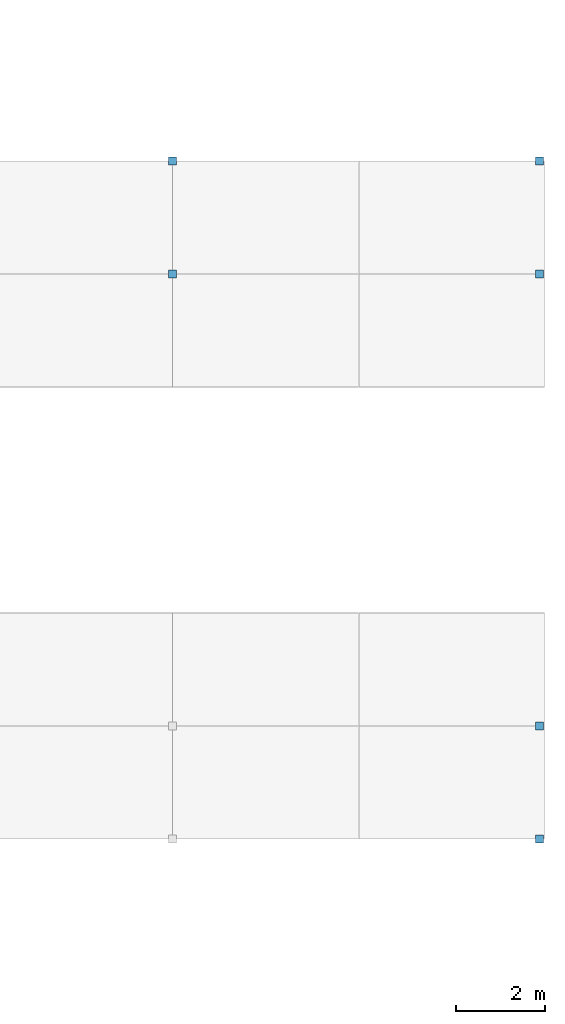
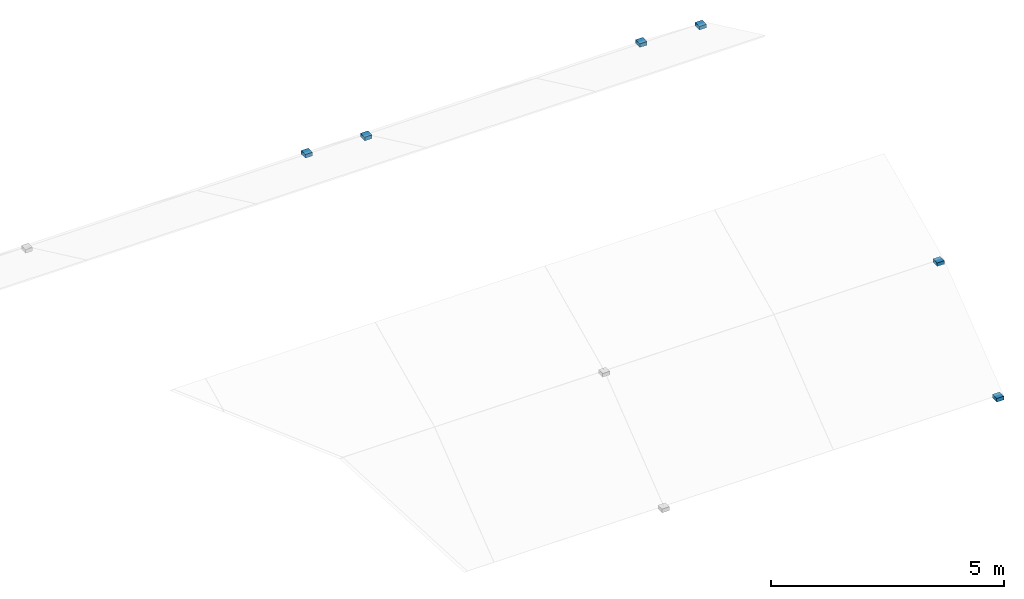
# One storey, part 35 of 59: 6 discrete accessories.
"""IFC4 building model written with IfcOpenShell, lengths in metres."""

from ifc_helpers import new_model, si_unit, direction, frame, origin, origin_2d, place, context, subcontext, project, spatial, rectangle, extrude, material, type_object, element, save


model = new_model("IFC4")

# Units and contexts
model_context = context("Model", 3, precision=1e-05, world=origin(), true_north=direction((0.0, 1.0)))
body_context = subcontext(model_context, "Body", "Model", "MODEL_VIEW")
ifc_project = project(units=[si_unit("LENGTHUNIT", "METRE"), si_unit("AREAUNIT", "SQUARE_METRE"), si_unit("VOLUMEUNIT", "CUBIC_METRE"), si_unit("PLANEANGLEUNIT", "RADIAN"), si_unit("MASSUNIT", "GRAM", prefix="KILO")], contexts=[model_context])

# Site, building, storey
site_placement = place(None, origin())
site = spatial("IfcSite", under=ifc_project, at=site_placement, CompositionType="ELEMENT")
building_placement = place(site_placement, origin())
building = spatial("IfcBuilding", under=site, at=building_placement, Name="Telukmera Botanical Conservatory", CompositionType="ELEMENT")
storey_placement = place(building_placement, frame((0.0, 0.0, 15.0)))
storey = spatial("IfcBuildingStorey", under=building, at=storey_placement, Name="L03", CompositionType="ELEMENT", Elevation=15.0)

# Discrete accessories
ifc_material = material(Name="Steel S355", Category="steel")
discrete_accessory_type = type_object("IfcDiscreteAccessoryType", Name="Structural Steel Gridshell Glazing Shoe Bracket", PredefinedType="BRACKET", material=ifc_material)
for number, where, z_axis, x_axis, name in (
    (1, (159.60009765625, 38.0, 3.365234375), (0.0, 0.0, 1.0), (1.0, 0.0, 0.0), "Conservatory Node Glazing Spider Bracket 10-08"),
    (2, (159.60009765625, 40.550048828125, 1.365234375), (0.0, 0.0, 1.0), (1.0, 0.0, 0.0), "Conservatory Node Glazing Spider Bracket 10-09"),
    (3, (167.8798828125, 25.25, 1.365234375), (0.0, 0.0, 1.0), (1.0, 0.0, 0.0), "Conservatory Node Glazing Spider Bracket 12-03"),
    (4, (167.8798828125, 27.800048828125, 3.365234375), (0.0, 0.0, 1.0), (1.0, 0.0, 0.0), "Conservatory Node Glazing Spider Bracket 12-04"),
    (5, (167.8798828125, 38.0, 3.365234375), (0.0, 0.0, 1.0), (1.0, 0.0, 0.0), "Conservatory Node Glazing Spider Bracket 12-08"),
    (6, (167.8798828125, 40.550048828125, 1.365234375), (0.0, 0.0, 1.0), (1.0, 0.0, 0.0), "Conservatory Node Glazing Spider Bracket 12-09"),
):
    element("IfcDiscreteAccessory", number, at=place(storey_placement, frame(where, z_axis=z_axis, x_axis=x_axis)), inside=storey, type_object=discrete_accessory_type, Name=name, PredefinedType="BRACKET", context=body_context, shape_type="SweptSolid", body=[
        extrude(rectangle(XDim=0.179931640625, YDim=0.179931640625, at=origin_2d()), origin(), (0.0, 0.0, 1.0), 0.094970703125),
    ])

save(model, "model.ifc")
